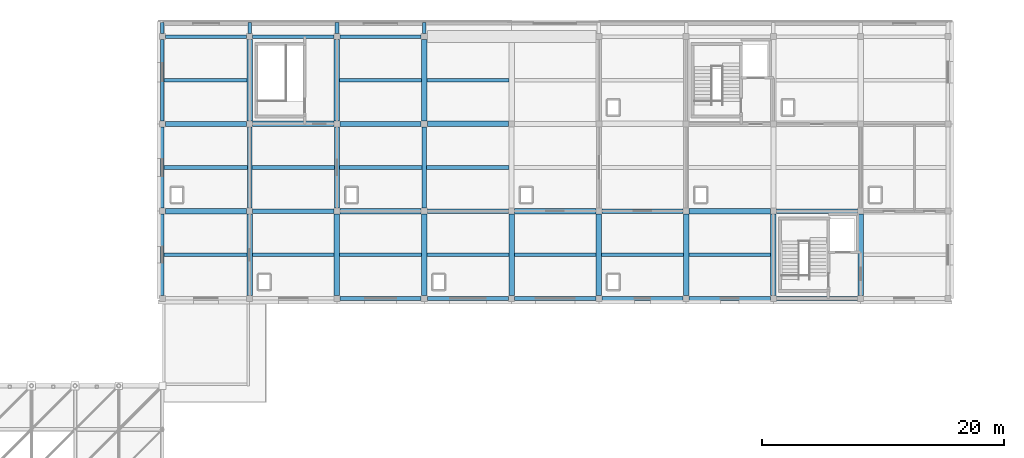
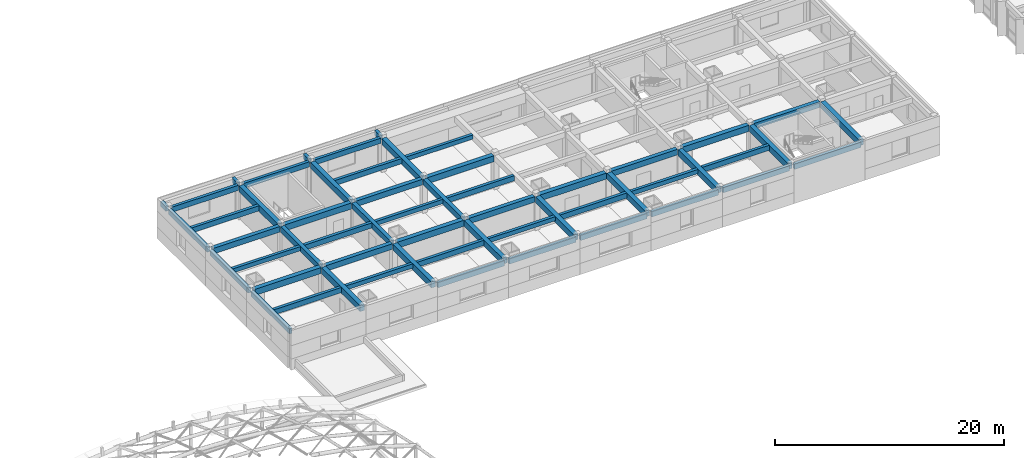
# One storey, part 12 of 40: 56 beams.
"""IFC4 building model written with IfcOpenShell, lengths in metres."""

from ifc_helpers import new_model, si_unit, direction, frame, origin, origin_2d, place, context, subcontext, project, spatial, rectangle, extrude, material, material_profile, profile_set, type_object, element, save


model = new_model("IFC4")

# Units and contexts
model_context = context("Model", 3, precision=1e-05, world=origin(), true_north=direction((0.0, 1.0)))
body_context = subcontext(model_context, "Body", "Model", "MODEL_VIEW")
ifc_project = project(units=[si_unit("LENGTHUNIT", "METRE"), si_unit("AREAUNIT", "SQUARE_METRE"), si_unit("VOLUMEUNIT", "CUBIC_METRE"), si_unit("PLANEANGLEUNIT", "RADIAN"), si_unit("MASSUNIT", "GRAM", prefix="KILO")], contexts=[model_context])

# Site, building, storey
site_placement = place(None, origin())
site = spatial("IfcSite", under=ifc_project, at=site_placement, CompositionType="ELEMENT")
building_placement = place(site_placement, origin())
building = spatial("IfcBuilding", under=site, at=building_placement, Name="Kavelor Marine Aquarium", CompositionType="ELEMENT")
storey_placement = place(building_placement, frame((0.0, 0.0, 17.639892578125)))
storey = spatial("IfcBuildingStorey", under=building, at=storey_placement, Name="L04", CompositionType="ELEMENT", Elevation=17.639892578125)

# Beams
ifc_material_1 = material(Name="Concrete C40/50", Category="concrete")
ifc_material_profile_1 = material_profile(ifc_material_1, rectangle(XDim=0.449951171875, YDim=0.64990234375, at=origin_2d()), Name="RC-BM 450x650")
ifc_profile_set_1 = profile_set([ifc_material_profile_1], Name="Concrete C40/50")
beam_type_1 = type_object("IfcBeamType", Name="BM-B3", PredefinedType="BEAM", material=ifc_profile_set_1)
beam_1_placement = place(storey_placement, frame((39.449951171875, 96.39990234375, 3.315185546875), z_axis=(1.0, 0.0, 0.0), x_axis=(0.0, 1.0, 0.0)))
element("IfcBeam", 1, at=beam_1_placement, inside=storey, type_object=beam_type_1, Name="bm:x:L04:L05:05_13", PredefinedType="BEAM", context=body_context, shape_type="SweptSolid", body=[
    extrude(rectangle(XDim=0.449951171875, YDim=0.64990234375, at=origin_2d()), origin(), (0.0, 0.0, 1.0), 6.699951171875),
])
beam_2_placement = place(storey_placement, frame((46.64990234375, 103.60009765625, 3.315185546875), z_axis=(1.0, 0.0, 0.0), x_axis=(0.0, 1.0, 0.0)))
element("IfcBeam", 2, at=beam_2_placement, inside=storey, type_object=beam_type_1, Name="bm:x:L04:L05:06_14", PredefinedType="BEAM", context=body_context, shape_type="SweptSolid", body=[
    extrude(rectangle(XDim=0.449951171875, YDim=0.64990234375, at=origin_2d()), origin(), (0.0, 0.0, 1.0), 6.7001953125),
])
for number, where, z_axis, x_axis, name in (
    (3, (53.85009765625, 96.39990234375, 3.315185546875), (1.0, 0.0, 0.0), (0.0, 1.0, 0.0), "bm:x:L04:L05:07_13"),
    (4, (61.050048828125, 103.60009765625, 3.315185546875), (1.0, 0.0, 0.0), (0.0, 1.0, 0.0), "bm:x:L04:L05:08_14"),
    (5, (68.25, 96.39990234375, 3.315185546875), (1.0, 0.0, 0.0), (0.0, 1.0, 0.0), "bm:x:L04:L05:09_13"),
):
    element("IfcBeam", number, at=place(storey_placement, frame(where, z_axis=z_axis, x_axis=x_axis)), inside=storey, type_object=beam_type_1, Name=name, PredefinedType="BEAM", context=body_context, shape_type="SweptSolid", body=[
        extrude(rectangle(XDim=0.449951171875, YDim=0.64990234375, at=origin_2d()), origin(), (0.0, 0.0, 1.0), 6.699951171875),
    ])
beam_3_placement = place(storey_placement, frame((82.64990234375, 96.39990234375, 3.375), z_axis=(1.0, 0.0, 0.0), x_axis=(0.0, 1.0, 0.0)))
element("IfcBeam", 6, at=beam_3_placement, inside=storey, type_object=beam_type_1, Name="bm:x:L04:L05:11_13", PredefinedType="BEAM", context=body_context, shape_type="SweptSolid", body=[
    extrude(rectangle(XDim=0.449951171875, YDim=0.64990234375, at=origin_2d()), origin(), (0.0, 0.0, 1.0), 6.7001953125),
])
for number, where, z_axis, x_axis, name in (
    (7, (46.39990234375, 89.449951171875, 3.315185546875), (0.0, 1.0, 0.0), (-1.0, 0.0, 0.0), "bm:y:L04:L05:06_12"),
    (8, (46.39990234375, 103.85009765625, 3.315185546875), (0.0, 1.0, 0.0), (-1.0, 0.0, 0.0), "bm:y:L04:L05:06_14"),
    (9, (53.60009765625, 89.449951171875, 3.315185546875), (0.0, 1.0, 0.0), (-1.0, 0.0, 0.0), "bm:y:L04:L05:07_12"),
    (10, (53.60009765625, 103.85009765625, 3.315185546875), (0.0, 1.0, 0.0), (-1.0, 0.0, 0.0), "bm:y:L04:L05:07_14"),
    (11, (60.800048828125, 89.449951171875, 3.315185546875), (0.0, 1.0, 0.0), (-1.0, 0.0, 0.0), "bm:y:L04:L05:08_12"),
    (12, (60.800048828125, 103.85009765625, 3.315185546875), (0.0, 1.0, 0.0), (-1.0, 0.0, 0.0), "bm:y:L04:L05:08_14"),
    (13, (68.0, 89.449951171875, 3.315185546875), (0.0, 1.0, 0.0), (-1.0, 0.0, 0.0), "bm:y:L04:L05:09_12"),
    (14, (75.199951171875, 89.449951171875, 3.315185546875), (0.0, 1.0, 0.0), (-1.0, 0.0, 0.0), "bm:y:L04:L05:10_12"),
    (15, (82.39990234375, 89.449951171875, 3.315185546875), (0.0, 1.0, 0.0), (-1.0, 0.0, 0.0), "bm:y:L04:L05:11_12"),
    (16, (89.60009765625, 89.449951171875, 3.355224609375), (0.0, 1.0, 0.0), (-1.0, 0.0, 0.0), "bm:y:L04:L05:12_12"),
    (17, (96.800048828125, 89.449951171875, 3.355224609375), (0.0, 1.0, 0.0), (-1.0, 0.0, 0.0), "bm:y:L04:L05:13_12"),
):
    element("IfcBeam", number, at=place(storey_placement, frame(where, z_axis=z_axis, x_axis=x_axis)), inside=storey, type_object=beam_type_1, Name=name, PredefinedType="BEAM", context=body_context, shape_type="SweptSolid", body=[
        extrude(rectangle(XDim=0.449951171875, YDim=0.64990234375, at=origin_2d()), origin(), (0.0, 0.0, 1.0), 6.699951171875),
    ])
ifc_material_2 = material(Name="Concrete C40/50", Category="concrete")
ifc_material_profile_2 = material_profile(ifc_material_2, rectangle(XDim=0.39990234375, YDim=0.60009765625, at=origin_2d()), Name="RC-BM 400x600")
ifc_profile_set_2 = profile_set([ifc_material_profile_2], Name="Concrete C40/50")
beam_type_2 = type_object("IfcBeamType", Name="BM-B4", PredefinedType="BEAM", material=ifc_profile_set_2)
beam_4_placement = place(storey_placement, frame((39.449951171875, 103.60009765625, 3.340087890625), z_axis=(1.0, 0.0, 0.0), x_axis=(0.0, 1.0, 0.0)))
element("IfcBeam", 18, at=beam_4_placement, inside=storey, type_object=beam_type_2, Name="bm:x:L04:L05:05_14", PredefinedType="BEAM", context=body_context, shape_type="SweptSolid", body=[
    extrude(rectangle(XDim=0.39990234375, YDim=0.60009765625, at=origin_2d()), origin(), (0.0, 0.0, 1.0), 6.699951171875),
])
beam_5_placement = place(storey_placement, frame((46.64990234375, 96.39990234375, 3.340087890625), z_axis=(1.0, 0.0, 0.0), x_axis=(0.0, 1.0, 0.0)))
element("IfcBeam", 19, at=beam_5_placement, inside=storey, type_object=beam_type_2, Name="bm:x:L04:L05:06_13", PredefinedType="BEAM", context=body_context, shape_type="SweptSolid", body=[
    extrude(rectangle(XDim=0.39990234375, YDim=0.60009765625, at=origin_2d()), origin(), (0.0, 0.0, 1.0), 6.7001953125),
])
for number, where, z_axis, x_axis, name in (
    (20, (53.85009765625, 103.60009765625, 3.340087890625), (1.0, 0.0, 0.0), (0.0, 1.0, 0.0), "bm:x:L04:L05:07_14"),
    (21, (61.050048828125, 96.39990234375, 3.340087890625), (1.0, 0.0, 0.0), (0.0, 1.0, 0.0), "bm:x:L04:L05:08_13"),
    (22, (75.449951171875, 96.39990234375, 3.340087890625), (1.0, 0.0, 0.0), (0.0, 1.0, 0.0), "bm:x:L04:L05:10_13"),
    (23, (89.85009765625, 96.39990234375, 3.380126953125), (1.0, 0.0, 0.0), (0.0, 1.0, 0.0), "bm:x:L04:L05:12_13"),
):
    element("IfcBeam", number, at=place(storey_placement, frame(where, z_axis=z_axis, x_axis=x_axis)), inside=storey, type_object=beam_type_2, Name=name, PredefinedType="BEAM", context=body_context, shape_type="SweptSolid", body=[
        extrude(rectangle(XDim=0.39990234375, YDim=0.60009765625, at=origin_2d()), origin(), (0.0, 0.0, 1.0), 6.699951171875),
    ])
for number, where, z_axis, x_axis, name in (
    (24, (46.39990234375, 96.64990234375, 3.340087890625), (0.0, 1.0, 0.0), (-1.0, 0.0, 0.0), "bm:y:L04:L05:06_13"),
    (25, (53.60009765625, 96.64990234375, 3.340087890625), (0.0, 1.0, 0.0), (-1.0, 0.0, 0.0), "bm:y:L04:L05:07_13"),
    (26, (60.800048828125, 96.64990234375, 3.340087890625), (0.0, 1.0, 0.0), (-1.0, 0.0, 0.0), "bm:y:L04:L05:08_13"),
):
    element("IfcBeam", number, at=place(storey_placement, frame(where, z_axis=z_axis, x_axis=x_axis)), inside=storey, type_object=beam_type_2, Name=name, PredefinedType="BEAM", context=body_context, shape_type="SweptSolid", body=[
        extrude(rectangle(XDim=0.39990234375, YDim=0.60009765625, at=origin_2d()), origin(), (0.0, 0.0, 1.0), 6.7001953125),
    ])
ifc_material_3 = material(Name="Concrete C40/50", Category="concrete")
ifc_material_profile_3 = material_profile(ifc_material_3, rectangle(XDim=0.300048828125, YDim=0.449951171875, at=origin_2d()), Name="RC-JS 300x450")
ifc_profile_set_3 = profile_set([ifc_material_profile_3], Name="Concrete C40/50")
beam_type_3 = type_object("IfcBeamType", Name="BM-JS1", PredefinedType="JOIST", material=ifc_profile_set_3)
beam_6_placement = place(storey_placement, frame((39.35009765625, 100.0, 3.4150390625), z_axis=(1.0, 0.0, 0.0), x_axis=(0.0, 1.0, 0.0)))
element("IfcBeam", 27, at=beam_6_placement, inside=storey, type_object=beam_type_3, Name="js:L04:L05:05_13", PredefinedType="JOIST", context=body_context, shape_type="SweptSolid", body=[
    extrude(rectangle(XDim=0.300048828125, YDim=0.449951171875, at=origin_2d()), origin(), (0.0, 0.0, 1.0), 6.849853515625),
])
beam_7_placement = place(storey_placement, frame((46.625, 92.800048828125, 3.4150390625), z_axis=(1.0, 0.0, 0.0), x_axis=(0.0, 1.0, 0.0)))
element("IfcBeam", 28, at=beam_7_placement, inside=storey, type_object=beam_type_3, Name="js:L04:L05:06_12", PredefinedType="JOIST", context=body_context, shape_type="SweptSolid", body=[
    extrude(rectangle(XDim=0.300048828125, YDim=0.449951171875, at=origin_2d()), origin(), (0.0, 0.0, 1.0), 6.75),
])
beam_8_placement = place(storey_placement, frame((53.800048828125, 100.0, 3.4150390625), z_axis=(1.0, 0.0, 0.0), x_axis=(0.0, 1.0, 0.0)))
element("IfcBeam", 29, at=beam_8_placement, inside=storey, type_object=beam_type_3, Name="js:L04:L05:07_13", PredefinedType="JOIST", context=body_context, shape_type="SweptSolid", body=[
    extrude(rectangle(XDim=0.300048828125, YDim=0.449951171875, at=origin_2d()), origin(), (0.0, 0.0, 1.0), 6.800048828125),
])
for number, where, z_axis, x_axis, name in (
    (30, (61.02490234375, 92.800048828125, 3.4150390625), (1.0, 0.0, 0.0), (0.0, 1.0, 0.0), "js:L04:L05:08_12"),
    (31, (61.02490234375, 107.199951171875, 3.4150390625), (1.0, 0.0, 0.0), (0.0, 1.0, 0.0), "js:L04:L05:08_14"),
    (32, (75.425048828125, 92.800048828125, 3.4150390625), (1.0, 0.0, 0.0), (0.0, 1.0, 0.0), "js:L04:L05:10_12"),
):
    element("IfcBeam", number, at=place(storey_placement, frame(where, z_axis=z_axis, x_axis=x_axis)), inside=storey, type_object=beam_type_3, Name=name, PredefinedType="JOIST", context=body_context, shape_type="SweptSolid", body=[
        extrude(rectangle(XDim=0.300048828125, YDim=0.449951171875, at=origin_2d()), origin(), (0.0, 0.0, 1.0), 6.75),
    ])
ifc_material_4 = material(Name="Concrete C40/50", Category="concrete")
ifc_material_profile_4 = material_profile(ifc_material_4, rectangle(XDim=0.300048828125, YDim=0.550048828125, at=origin_2d()), Name="RC-JS 300x550")
ifc_profile_set_4 = profile_set([ifc_material_profile_4], Name="Concrete C40/50")
beam_type_4 = type_object("IfcBeamType", Name="BM-JS2", PredefinedType="JOIST", material=ifc_profile_set_4)
for number, where, z_axis, x_axis, name in (
    (33, (39.35009765625, 92.800048828125, 3.364990234375), (1.0, 0.0, 0.0), (0.0, 1.0, 0.0), "js:L04:L05:05_12"),
    (34, (39.35009765625, 107.199951171875, 3.364990234375), (1.0, 0.0, 0.0), (0.0, 1.0, 0.0), "js:L04:L05:05_14"),
):
    element("IfcBeam", number, at=place(storey_placement, frame(where, z_axis=z_axis, x_axis=x_axis)), inside=storey, type_object=beam_type_4, Name=name, PredefinedType="JOIST", context=body_context, shape_type="SweptSolid", body=[
        extrude(rectangle(XDim=0.300048828125, YDim=0.550048828125, at=origin_2d()), origin(), (0.0, 0.0, 1.0), 6.824951171875),
    ])
beam_9_placement = place(storey_placement, frame((46.60009765625, 100.0, 3.364990234375), z_axis=(1.0, 0.0, 0.0), x_axis=(0.0, 1.0, 0.0)))
element("IfcBeam", 35, at=beam_9_placement, inside=storey, type_object=beam_type_4, Name="js:L04:L05:06_13", PredefinedType="JOIST", context=body_context, shape_type="SweptSolid", body=[
    extrude(rectangle(XDim=0.300048828125, YDim=0.550048828125, at=origin_2d()), origin(), (0.0, 0.0, 1.0), 6.7998046875),
])
for number, where, z_axis, x_axis, name in (
    (36, (53.824951171875, 92.800048828125, 3.364990234375), (1.0, 0.0, 0.0), (0.0, 1.0, 0.0), "js:L04:L05:07_12"),
    (37, (53.824951171875, 107.199951171875, 3.364990234375), (1.0, 0.0, 0.0), (0.0, 1.0, 0.0), "js:L04:L05:07_14"),
):
    element("IfcBeam", number, at=place(storey_placement, frame(where, z_axis=z_axis, x_axis=x_axis)), inside=storey, type_object=beam_type_4, Name=name, PredefinedType="JOIST", context=body_context, shape_type="SweptSolid", body=[
        extrude(rectangle(XDim=0.300048828125, YDim=0.550048828125, at=origin_2d()), origin(), (0.0, 0.0, 1.0), 6.75),
    ])
beam_10_placement = place(storey_placement, frame((61.0, 100.0, 3.364990234375), z_axis=(1.0, 0.0, 0.0), x_axis=(0.0, 1.0, 0.0)))
element("IfcBeam", 38, at=beam_10_placement, inside=storey, type_object=beam_type_4, Name="js:L04:L05:08_13", PredefinedType="JOIST", context=body_context, shape_type="SweptSolid", body=[
    extrude(rectangle(XDim=0.300048828125, YDim=0.550048828125, at=origin_2d()), origin(), (0.0, 0.0, 1.0), 6.800048828125),
])
for number, where, z_axis, x_axis, name in (
    (39, (68.22509765625, 92.800048828125, 3.364990234375), (1.0, 0.0, 0.0), (0.0, 1.0, 0.0), "js:L04:L05:09_12"),
    (40, (82.625, 92.800048828125, 3.425048828125), (1.0, 0.0, 0.0), (0.0, 1.0, 0.0), "js:L04:L05:11_12"),
):
    element("IfcBeam", number, at=place(storey_placement, frame(where, z_axis=z_axis, x_axis=x_axis)), inside=storey, type_object=beam_type_4, Name=name, PredefinedType="JOIST", context=body_context, shape_type="SweptSolid", body=[
        extrude(rectangle(XDim=0.300048828125, YDim=0.550048828125, at=origin_2d()), origin(), (0.0, 0.0, 1.0), 6.75),
    ])
ifc_material_5 = material(Name="Concrete C40/50", Category="concrete")
ifc_material_profile_5 = material_profile(ifc_material_5, rectangle(XDim=0.300048828125, YDim=0.550048828125, at=origin_2d()), Name="RC-SP 300x550")
ifc_profile_set_5 = profile_set([ifc_material_profile_5], Name="Concrete C40/50")
beam_type_5 = type_object("IfcBeamType", Name="BM-SP2", PredefinedType="SPANDREL", material=ifc_profile_set_5)
beam_11_placement = place(storey_placement, frame((39.449951171875, 110.800048828125, 3.364990234375), z_axis=(1.0, 0.0, 0.0), x_axis=(0.0, 1.0, 0.0)))
element("IfcBeam", 41, at=beam_11_placement, inside=storey, type_object=beam_type_5, Name="bm:x:L04:L05:05_15", PredefinedType="SPANDREL", context=body_context, shape_type="SweptSolid", body=[
    extrude(rectangle(XDim=0.300048828125, YDim=0.550048828125, at=origin_2d()), origin(), (0.0, 0.0, 1.0), 6.699951171875),
])
beam_12_placement = place(storey_placement, frame((46.64990234375, 110.800048828125, 3.364990234375), z_axis=(1.0, 0.0, 0.0), x_axis=(0.0, 1.0, 0.0)))
element("IfcBeam", 42, at=beam_12_placement, inside=storey, type_object=beam_type_5, Name="bm:x:L04:L05:06_15", PredefinedType="SPANDREL", context=body_context, shape_type="SweptSolid", body=[
    extrude(rectangle(XDim=0.300048828125, YDim=0.550048828125, at=origin_2d()), origin(), (0.0, 0.0, 1.0), 6.7001953125),
])
for number, where, z_axis, x_axis, name in (
    (43, (53.85009765625, 89.199951171875, 3.364990234375), (1.0, 0.0, 0.0), (0.0, 1.0, 0.0), "bm:x:L04:L05:07_12"),
    (44, (53.85009765625, 110.800048828125, 3.364990234375), (1.0, 0.0, 0.0), (0.0, 1.0, 0.0), "bm:x:L04:L05:07_15"),
    (45, (61.050048828125, 89.199951171875, 3.364990234375), (1.0, 0.0, 0.0), (0.0, 1.0, 0.0), "bm:x:L04:L05:08_12"),
    (46, (68.25, 89.199951171875, 3.364990234375), (1.0, 0.0, 0.0), (0.0, 1.0, 0.0), "bm:x:L04:L05:09_12"),
    (47, (75.449951171875, 89.199951171875, 3.364990234375), (1.0, 0.0, 0.0), (0.0, 1.0, 0.0), "bm:x:L04:L05:10_12"),
):
    element("IfcBeam", number, at=place(storey_placement, frame(where, z_axis=z_axis, x_axis=x_axis)), inside=storey, type_object=beam_type_5, Name=name, PredefinedType="SPANDREL", context=body_context, shape_type="SweptSolid", body=[
        extrude(rectangle(XDim=0.300048828125, YDim=0.550048828125, at=origin_2d()), origin(), (0.0, 0.0, 1.0), 6.699951171875),
    ])
beam_13_placement = place(storey_placement, frame((82.64990234375, 89.199951171875, 3.425048828125), z_axis=(1.0, 0.0, 0.0), x_axis=(0.0, 1.0, 0.0)))
element("IfcBeam", 48, at=beam_13_placement, inside=storey, type_object=beam_type_5, Name="bm:x:L04:L05:11_12", PredefinedType="SPANDREL", context=body_context, shape_type="SweptSolid", body=[
    extrude(rectangle(XDim=0.300048828125, YDim=0.550048828125, at=origin_2d()), origin(), (0.0, 0.0, 1.0), 6.7001953125),
])
for number, where, z_axis, x_axis, name in (
    (49, (89.85009765625, 89.199951171875, 3.405029296875), (1.0, 0.0, 0.0), (0.0, 1.0, 0.0), "bm:x:L04:L05:12_12"),
    (50, (39.199951171875, 89.449951171875, 3.364990234375), (0.0, 1.0, 0.0), (-1.0, 0.0, 0.0), "bm:y:L04:L05:05_12"),
):
    element("IfcBeam", number, at=place(storey_placement, frame(where, z_axis=z_axis, x_axis=x_axis)), inside=storey, type_object=beam_type_5, Name=name, PredefinedType="SPANDREL", context=body_context, shape_type="SweptSolid", body=[
        extrude(rectangle(XDim=0.300048828125, YDim=0.550048828125, at=origin_2d()), origin(), (0.0, 0.0, 1.0), 6.699951171875),
    ])
beam_14_placement = place(storey_placement, frame((39.199951171875, 96.64990234375, 3.364990234375), z_axis=(0.0, 1.0, 0.0), x_axis=(-1.0, 0.0, 0.0)))
element("IfcBeam", 51, at=beam_14_placement, inside=storey, type_object=beam_type_5, Name="bm:y:L04:L05:05_13", PredefinedType="SPANDREL", context=body_context, shape_type="SweptSolid", body=[
    extrude(rectangle(XDim=0.300048828125, YDim=0.550048828125, at=origin_2d()), origin(), (0.0, 0.0, 1.0), 6.7001953125),
])
beam_15_placement = place(storey_placement, frame((39.199951171875, 103.85009765625, 3.364990234375), z_axis=(0.0, 1.0, 0.0), x_axis=(-1.0, 0.0, 0.0)))
element("IfcBeam", 52, at=beam_15_placement, inside=storey, type_object=beam_type_5, Name="bm:y:L04:L05:05_14", PredefinedType="SPANDREL", context=body_context, shape_type="SweptSolid", body=[
    extrude(rectangle(XDim=0.300048828125, YDim=0.550048828125, at=origin_2d()), origin(), (0.0, 0.0, 1.0), 6.699951171875),
])
for number, where, z_axis, x_axis, name in (
    (53, (39.199951171875, 111.050048828125, 3.364990234375), (0.0, 1.0, 0.0), (-1.0, 0.0, 0.0), "bm:out:n:L04:L05:05"),
    (54, (46.39990234375, 111.050048828125, 3.364990234375), (0.0, 1.0, 0.0), (-1.0, 0.0, 0.0), "bm:out:n:L04:L05:06"),
    (55, (53.60009765625, 111.050048828125, 3.364990234375), (0.0, 1.0, 0.0), (-1.0, 0.0, 0.0), "bm:out:n:L04:L05:07"),
    (56, (60.800048828125, 111.050048828125, 3.364990234375), (0.0, 1.0, 0.0), (-1.0, 0.0, 0.0), "bm:out:n:L04:L05:08"),
):
    element("IfcBeam", number, at=place(storey_placement, frame(where, z_axis=z_axis, x_axis=x_axis)), inside=storey, type_object=beam_type_5, Name=name, PredefinedType="SPANDREL", context=body_context, shape_type="SweptSolid", body=[
        extrude(rectangle(XDim=0.300048828125, YDim=0.550048828125, at=origin_2d()), origin(), (0.0, 0.0, 1.0), 0.909912109375),
    ])

save(model, "model.ifc")
